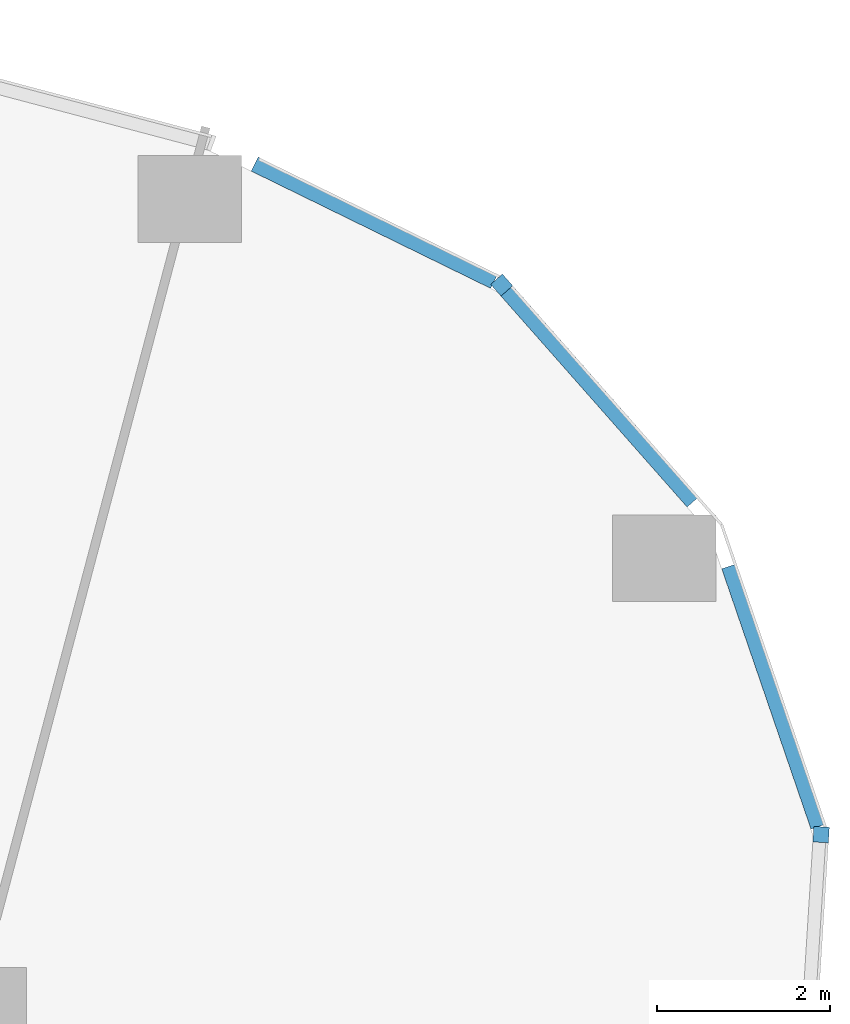
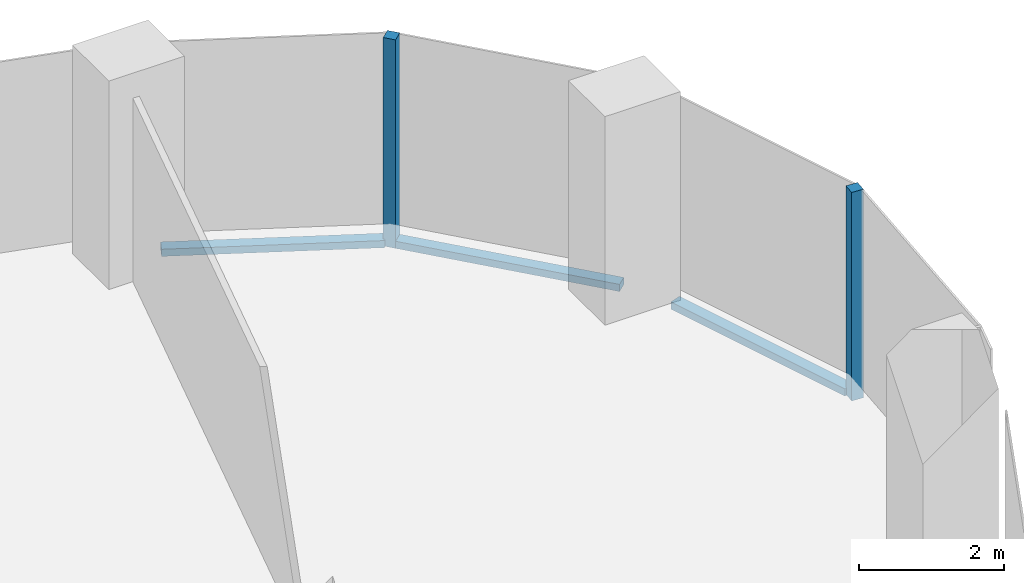
# One storey, part 11 of 34: 5 members, 4 elements without a shape of their own.
"""IFC4 building model written with IfcOpenShell, lengths in metres."""

from ifc_helpers import new_model, si_unit, direction, frame, origin, origin_2d, place, context, subcontext, project, spatial, rectangle, extrude, material, material_profile, profile_set, type_object, element, aggregate, save


model = new_model("IFC4")

# Units and contexts
model_context = context("Model", 3, precision=1e-05, world=origin(), true_north=direction((0.0, 1.0)))
body_context = subcontext(model_context, "Body", "Model", "MODEL_VIEW")
ifc_project = project(units=[si_unit("LENGTHUNIT", "METRE"), si_unit("AREAUNIT", "SQUARE_METRE"), si_unit("VOLUMEUNIT", "CUBIC_METRE"), si_unit("PLANEANGLEUNIT", "RADIAN"), si_unit("MASSUNIT", "GRAM", prefix="KILO")], contexts=[model_context])

# Site, building, storey
site_placement = place(None, origin())
site = spatial("IfcSite", under=ifc_project, at=site_placement, CompositionType="ELEMENT")
building_placement = place(site_placement, origin())
building = spatial("IfcBuilding", under=site, at=building_placement, Name="Orlundy Tower", CompositionType="ELEMENT")
storey_placement = place(building_placement, frame((0.0, 0.0, 105.699951171875)))
storey = spatial("IfcBuildingStorey", under=building, at=storey_placement, Name="L26", CompositionType="ELEMENT", Elevation=105.699951171875)

# Curtain wall, member
ifc_material_1 = material(Name="Aluminium bronze anodised", Category="aluminium")
curtain_wall_type = type_object("IfcCurtainWallType", Name="CW1 wall", PredefinedType="NOTDEFINED", material=ifc_material_1)
curtain_wall_1_placement = place(storey_placement, origin())
curtain_wall_1 = element("IfcCurtainWall", 1, at=curtain_wall_1_placement, inside=storey, type_object=curtain_wall_type, Name="CW1 run 020", PredefinedType="NOTDEFINED")
ifc_material_2 = material(Name="Aluminium bronze anodised", Category="aluminium")
ifc_material_profile_1 = material_profile(ifc_material_2, rectangle(XDim=0.179931640625, YDim=0.179931640625, at=origin_2d()), Name="CW1 corner post 180x180")
ifc_profile_set_1 = profile_set([ifc_material_profile_1], Name="Aluminium bronze anodised")
member_type_1 = type_object("IfcMemberType", Name="CW1 corner post 180x180", PredefinedType="MULLION", material=ifc_profile_set_1)
member_1_placement = place(storey_placement, frame((57.8056640625, 4.719970703125, -0.39990234375), z_axis=(0.0, 0.0, 1.0), x_axis=(0.749845729605, 0.661612712841, 0.0)))
member_1 = element("IfcMember", 2, at=member_1_placement, type_object=member_type_1, Name="CW1 mullion 58", PredefinedType="MULLION", context=body_context, shape_type="SweptSolid", body=[
    extrude(rectangle(XDim=0.179931640625, YDim=0.179931640625, at=origin_2d()), origin(), (0.0, 0.0, 1.0), 3.5),
])

curtain_wall_2_placement = place(storey_placement, origin())
curtain_wall_2 = element("IfcCurtainWall", 3, at=curtain_wall_2_placement, inside=storey, type_object=curtain_wall_type, Name="CW1 run 022", PredefinedType="NOTDEFINED")
member_2_placement = place(storey_placement, frame((61.494873046875, -1.626708984375, -0.39990234375), z_axis=(0.0, 0.0, 1.0), x_axis=(0.998038906457, -0.062596654845, 0.0)))
member_2 = element("IfcMember", 4, at=member_2_placement, type_object=member_type_1, Name="CW1 mullion 60", PredefinedType="MULLION", context=body_context, shape_type="SweptSolid", body=[
    extrude(rectangle(XDim=0.179931640625, YDim=0.179931640625, at=origin_2d()), origin(), (0.0, 0.0, 1.0), 3.5),
])
aggregate(curtain_wall_2, [member_2])

curtain_wall_3_placement = place(storey_placement, origin())
curtain_wall_3 = element("IfcCurtainWall", 5, at=curtain_wall_3_placement, inside=storey, type_object=curtain_wall_type, Name="CW1 run 019", PredefinedType="NOTDEFINED")
ifc_material_3 = material(Name="Aluminium bronze anodised", Category="aluminium")
ifc_material_profile_2 = material_profile(ifc_material_3, rectangle(XDim=0.179931640625, YDim=0.1201171875, at=origin_2d()), Name="CW1 transom 180x120")
ifc_profile_set_2 = profile_set([ifc_material_profile_2], Name="Aluminium bronze anodised")
member_type_2 = type_object("IfcMemberType", Name="CW1 transom 180x120", PredefinedType="USERDEFINED", material=ifc_profile_set_2)
member_3_placement = place(storey_placement, frame((54.952880859375, 6.11669921875, -0.33984375), z_axis=(0.898122786685, -0.439744766925, 0.0), x_axis=(0.439744766925, 0.898122786685, 0.0)))
member_3 = element("IfcMember", 6, at=member_3_placement, type_object=member_type_2, Name="CW1 transom", ObjectType="TRANSOM", PredefinedType="USERDEFINED", context=body_context, shape_type="SweptSolid", body=[
    extrude(rectangle(XDim=0.179931640625, YDim=0.1201171875, at=origin_2d()), origin(), (0.0, 0.0, 1.0), 3.0791015625),
])
aggregate(curtain_wall_3, [member_3])

# Member
member_4_placement = place(storey_placement, frame((57.865234375, 4.652587890625, -0.33984375), z_axis=(0.661584359958, -0.749870745302, 0.0), x_axis=(0.749870745302, 0.661584359958, 0.0)))
member_4 = element("IfcMember", 7, at=member_4_placement, type_object=member_type_2, Name="CW1 transom", ObjectType="TRANSOM", PredefinedType="USERDEFINED", context=body_context, shape_type="SweptSolid", body=[
    extrude(rectangle(XDim=0.179931640625, YDim=0.1201171875, at=origin_2d()), origin(), (0.0, 0.0, 1.0), 3.249267578125),
])

aggregate(curtain_wall_1, [member_1, member_4])

# Curtain wall, member
curtain_wall_4_placement = place(storey_placement, origin())
curtain_wall_4 = element("IfcCurtainWall", 8, at=curtain_wall_4_placement, inside=storey, type_object=curtain_wall_type, Name="CW1 run 021", PredefinedType="NOTDEFINED")
member_5_placement = place(storey_placement, frame((60.43310546875, 1.4716796875, -0.33984375), z_axis=(0.324190765616, -0.945991726967, 0.0), x_axis=(0.945991726967, 0.324190765616, 0.0)))
member_5 = element("IfcMember", 9, at=member_5_placement, type_object=member_type_2, Name="CW1 transom", ObjectType="TRANSOM", PredefinedType="USERDEFINED", context=body_context, shape_type="SweptSolid", body=[
    extrude(rectangle(XDim=0.179931640625, YDim=0.1201171875, at=origin_2d()), origin(), (0.0, 0.0, 1.0), 3.177978515625),
])
aggregate(curtain_wall_4, [member_5])

save(model, "model.ifc")
